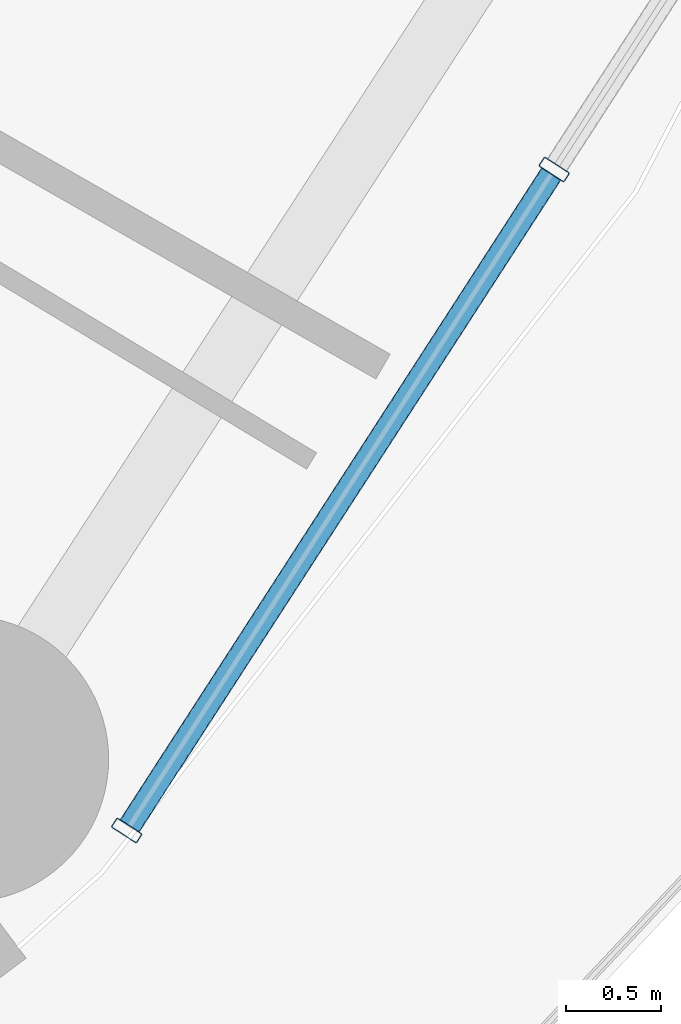
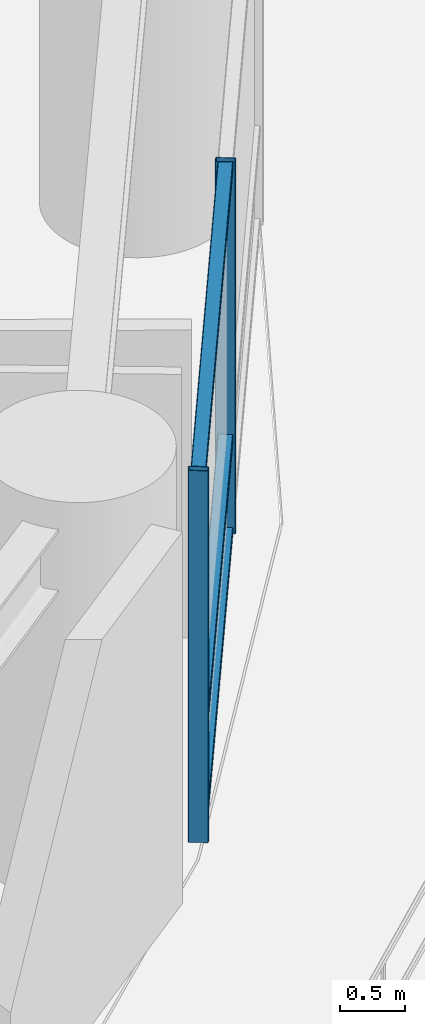
# One storey, part 10 of 34: 5 members, 1 element without a shape of its own.
"""IFC4 building model written with IfcOpenShell, lengths in metres."""

import ifcopenshell
import ifcopenshell.guid

model = None  # the IFC model being written
_history = None  # IfcOwnerHistory: only IFC2X3 demands one
_inside = {}  # id of a spatial element -> (the spatial element, [elements in it])
_under = {}  # id of a project, library or spatial element -> (it, [spatial elements below it])
_declared = {}  # id of a project -> (the project, [libraries it declares])
_typed = {}  # id of a type object -> (the type object, [elements of that type])
_made_of = {}  # id of a material, layer set ... -> (it, [elements and type objects made of it])


def new_model(schema):
    """Start an empty IFC model of exactly this schema.

    Asked for "IFC4X3", IfcOpenShell would pick the latest addendum, in which some entities
    have other attributes; the version numbers below select the first issue.
    IFC2X3 requires an IfcOwnerHistory on every rooted entity: one is made here for all.
    """
    global model, _history
    if schema == "IFC4X3":
        model = ifcopenshell.file(schema_version=(4, 3, 0, 0))
    else:
        model = ifcopenshell.file(schema=schema)
    _inside.clear()
    _under.clear()
    _declared.clear()
    _typed.clear()
    _made_of.clear()
    _history = None
    if model.schema == "IFC2X3":
        org = make("IfcOrganization", Name="unknown")
        user = make(
            "IfcPersonAndOrganization",
            ThePerson=make("IfcPerson", FamilyName="unknown"),
            TheOrganization=org,
        )
        app = make(
            "IfcApplication",
            ApplicationDeveloper=org,
            Version="unknown",
            ApplicationFullName="unknown",
            ApplicationIdentifier="unknown",
        )
        _history = make(
            "IfcOwnerHistory",
            OwningUser=user,
            OwningApplication=app,
            ChangeAction="ADDED",
            CreationDate=0,
        )
    return model


def make(cls, **values):
    """One entity of the class cls with the attributes given. An attribute that is None is left unset."""
    return model.create_entity(
        cls, **{name: value for name, value in values.items() if value is not None}
    )


def rooted(cls, **values):
    """An entity with a GlobalId (a new one), such as an element, a storey or a relation."""
    return make(cls, GlobalId=ifcopenshell.guid.new(), OwnerHistory=_history, **values)


def si_unit(unit_type, name, prefix=None):
    """IfcSIUnit, for example si_unit("LENGTHUNIT", "METRE", prefix="MILLI")."""
    return make("IfcSIUnit", UnitType=unit_type, Prefix=prefix, Name=name)


def assignment(units):
    """IfcUnitAssignment: the units of a project."""
    return None if units is None else make("IfcUnitAssignment", Units=units)


def point(xyz):
    """IfcCartesianPoint."""
    return None if xyz is None else make("IfcCartesianPoint", Coordinates=xyz)


def direction(xyz):
    """IfcDirection."""
    return None if xyz is None else make("IfcDirection", DirectionRatios=xyz)


def frame(location, z_axis=None, x_axis=None):
    """IfcAxis2Placement3D, a coordinate frame: its origin and axes. An axis left out is left unset."""
    return make(
        "IfcAxis2Placement3D",
        Location=point(location),
        Axis=direction(z_axis),
        RefDirection=direction(x_axis),
    )


def frame_2d(location, x_axis=None):
    """IfcAxis2Placement2D, a coordinate frame in the plane: its origin and x axis."""
    return make(
        "IfcAxis2Placement2D", Location=point(location), RefDirection=direction(x_axis)
    )


def origin():
    """The frame at (0, 0, 0) with its axes left unset."""
    return frame((0.0, 0.0, 0.0))


def origin_2d():
    """The frame at (0, 0) in the plane with its x axis left unset."""
    return frame_2d((0.0, 0.0))


def place(relative_to, where):
    """IfcLocalPlacement: puts the frame where relative to a parent placement (None: the world)."""
    return make(
        "IfcLocalPlacement", PlacementRelTo=relative_to, RelativePlacement=where
    )


def context(
    kind, dimensions, precision=None, world=None, true_north=None, identifier=None
):
    """IfcGeometricRepresentationContext, for example the 3D "Model" context."""
    return make(
        "IfcGeometricRepresentationContext",
        ContextIdentifier=identifier,
        ContextType=kind,
        CoordinateSpaceDimension=dimensions,
        Precision=precision,
        WorldCoordinateSystem=world,
        TrueNorth=true_north,
    )


def subcontext(parent, identifier, kind, view, scale=None):
    """IfcGeometricRepresentationSubContext, for example "Body" below "Model"."""
    return make(
        "IfcGeometricRepresentationSubContext",
        ContextIdentifier=identifier,
        ContextType=kind,
        ParentContext=parent,
        TargetScale=scale,
        TargetView=view,
    )


def project(units=None, contexts=None):
    """IfcProject with its units and contexts."""
    return rooted(
        "IfcProject",
        Name="project",
        RepresentationContexts=contexts,
        UnitsInContext=assignment(units),
    )


def spatial(cls, under=None, at=None, **own):
    """A site, building, storey or space (cls), placed at a placement, below another one or the project."""
    s = rooted(cls, ObjectPlacement=at, **own)
    if under is not None:
        _under.setdefault(under.id(), (under, []))[1].append(s)
    return s


def profile(cls, at=None, kind="AREA", **sizes):
    """A parametric profile (cls). Its sizes go by their IFC names, for example OverallWidth=200.0."""
    return make(cls, ProfileType=kind, Position=at, **sizes)


def hollow_rectangle(**sizes):
    """IfcRectangleHollowProfileDef."""
    return profile("IfcRectangleHollowProfileDef", **sizes)


def extrude(swept, where, along, depth):
    """IfcExtrudedAreaSolid: the profile swept, set in the frame where, extruded along a direction by depth."""
    return make(
        "IfcExtrudedAreaSolid",
        SweptArea=swept,
        Position=where,
        ExtrudedDirection=direction(along),
        Depth=depth,
    )


def shape(context_of_items, identifier, shape_type, items):
    """IfcShapeRepresentation: the items that make up one representation, for example the "Body"."""
    return make(
        "IfcShapeRepresentation",
        ContextOfItems=context_of_items,
        RepresentationIdentifier=identifier,
        RepresentationType=shape_type,
        Items=items,
    )


def material(Name=None, Category=None):
    """IfcMaterial."""
    return make("IfcMaterial", Name=Name, Category=Category)


def layer(
    of_material, thickness, ventilated=None, Name=None, Category=None, Priority=None
):
    """IfcMaterialLayer: one layer of a wall or slab, of a material (None: an air gap)."""
    return make(
        "IfcMaterialLayer",
        Material=of_material,
        LayerThickness=thickness,
        IsVentilated=ventilated,
        Name=Name,
        Category=Category,
        Priority=Priority,
    )


def layer_set(layers, Name=None):
    """IfcMaterialLayerSet."""
    return make("IfcMaterialLayerSet", MaterialLayers=layers, LayerSetName=Name)


def material_profile(
    of_material, cross_section, Name=None, Category=None, Priority=None
):
    """IfcMaterialProfile: a cross section and its material."""
    return make(
        "IfcMaterialProfile",
        Name=Name,
        Material=of_material,
        Profile=cross_section,
        Priority=Priority,
        Category=Category,
    )


def profile_set(profiles, Name=None, composite=None):
    """IfcMaterialProfileSet."""
    return make(
        "IfcMaterialProfileSet",
        Name=Name,
        MaterialProfiles=profiles,
        CompositeProfile=composite,
    )


def made_of(thing, what):
    """Note that an element or type object is made of a material, layer set ...; save() writes the relation."""
    if what is not None:
        _made_of.setdefault(what.id(), (what, []))[1].append(thing)
    return thing


def type_object(cls, material=None, **own):
    """A type object (cls), such as IfcWallType, which elements share."""
    return made_of(rooted(cls, **own), material)


def element(
    cls,
    number,
    at=None,
    inside=None,
    cuts=None,
    type_object=None,
    material=None,
    context=None,
    identifier="Body",
    shape_type=None,
    held_by="IfcProductDefinitionShape",
    body=None,
    shapes=None,
    **own,
):
    """One element of the class cls, such as IfcWall. Its Tag is "e" and its number.

    at: its placement. inside: the storey or other place that contains it. cuts: it is an
    opening in that element (IfcRelVoidsElement). A single representation is given by context,
    identifier, shape_type and body (its items); several are given by shapes. held_by: the class
    of the entity that holds the representations. save() writes the other relations.
    """
    e = rooted(cls, Tag="e%d" % number, ObjectPlacement=at, **own)
    if body is not None:
        shapes = [shape(context, identifier, shape_type, body)]
    if shapes is not None:
        e.Representation = make(held_by, Representations=shapes)
    if inside is not None:
        _inside.setdefault(inside.id(), (inside, []))[1].append(e)
    if cuts is not None:
        rooted(
            "IfcRelVoidsElement", RelatingBuildingElement=cuts, RelatedOpeningElement=e
        )
    if type_object is not None:
        _typed.setdefault(type_object.id(), (type_object, []))[1].append(e)
    return made_of(e, material)


def aggregate(whole, parts):
    """IfcRelAggregates: a whole, such as a stair, and the parts it consists of."""
    return rooted("IfcRelAggregates", RelatingObject=whole, RelatedObjects=parts)


def save(model, path):
    """Write the relations noted so far, then the file.

    IfcRelAggregates (storeys below a building ...), IfcRelContainedInSpatialStructure (elements
    in a storey), IfcRelDefinesByType, IfcRelAssociatesMaterial and IfcRelDeclares: one each for
    every whole, place, type object, material and project.
    """
    for whole, parts in _under.values():
        aggregate(whole, parts)
    for where, things in _inside.values():
        rooted(
            "IfcRelContainedInSpatialStructure",
            RelatedElements=things,
            RelatingStructure=where,
        )
    for kind, things in _typed.values():
        rooted("IfcRelDefinesByType", RelatedObjects=things, RelatingType=kind)
    for what, things in _made_of.values():
        rooted("IfcRelAssociatesMaterial", RelatedObjects=things, RelatingMaterial=what)
    for by, libraries in _declared.values():
        rooted("IfcRelDeclares", RelatingContext=by, RelatedDefinitions=libraries)
    model.write(path)


model = new_model("IFC4")

# Units and contexts
model_context = context("Model", 3, precision=1e-05, world=origin(), true_north=direction((0.0, 1.0)))
body_context = subcontext(model_context, "Body", "Model", "MODEL_VIEW")
ifc_project = project(units=[si_unit("LENGTHUNIT", "METRE"), si_unit("AREAUNIT", "SQUARE_METRE"), si_unit("VOLUMEUNIT", "CUBIC_METRE"), si_unit("PLANEANGLEUNIT", "RADIAN"), si_unit("MASSUNIT", "GRAM", prefix="KILO")], contexts=[model_context])

# Site, building, storey
site_placement = place(None, origin())
site = spatial("IfcSite", under=ifc_project, at=site_placement, CompositionType="ELEMENT")
building_placement = place(site_placement, origin())
building = spatial("IfcBuilding", under=site, at=building_placement, Name="Kelanora Arch Commons", CompositionType="ELEMENT")
storey_placement = place(building_placement, frame((0.0, 0.0, 33.75)))
storey = spatial("IfcBuildingStorey", under=building, at=storey_placement, Name="L08", CompositionType="ELEMENT", Elevation=33.75)

# Curtain wall, members
ifc_material_1 = material(Name="Terracotta ceramic-fritted low-E glass and aluminium", Category="masonry")
ifc_layer = layer(ifc_material_1, 0.159912109375)
ifc_layer_set = layer_set([ifc_layer], Name="Terracotta ceramic-fritted low-E glass and aluminium")
curtain_wall_type = type_object("IfcCurtainWallType", Name="CW-SYS-01", PredefinedType="NOTDEFINED", material=ifc_layer_set)
curtain_wall_placement = place(storey_placement, origin())
curtain_wall = element("IfcCurtainWall", 1, at=curtain_wall_placement, inside=storey, type_object=curtain_wall_type, Name="Unitised Curtain Wall L08-B16", PredefinedType="NOTDEFINED")
ifc_material_2 = material(Name="Powder-coated aluminium terracotta", Category="masonry")
ifc_material_profile_1 = material_profile(ifc_material_2, hollow_rectangle(XDim=0.159912109375, YDim=0.06005859375, WallThickness=0.0048828125, InnerFilletRadius=0.0048828125, OuterFilletRadius=0.010009765625, at=origin_2d()), Name="CWM160x60")
ifc_profile_set_1 = profile_set([ifc_material_profile_1], Name="Powder-coated aluminium terracotta")
member_type_1 = type_object("IfcMemberType", Name="CWM-STD", PredefinedType="MULLION", material=ifc_profile_set_1)
member_1_placement = place(storey_placement, frame((95.58935546875, 42.14697265625, 0.0), z_axis=(0.0, 0.0, 1.0), x_axis=(-0.83972982332, 0.543004441812, 0.0)))
member_1 = element("IfcMember", 2, at=member_1_placement, type_object=member_type_1, Name="CW-01 mullion 1", PredefinedType="MULLION", context=body_context, shape_type="SweptSolid", body=[
    extrude(hollow_rectangle(XDim=0.159912109375, YDim=0.06005859375, WallThickness=0.0048828125, InnerFilletRadius=0.0048828125, OuterFilletRadius=0.010009765625, at=origin_2d()), origin(), (0.0, 0.0, 1.0), 3.47509765625),
])
member_2_placement = place(storey_placement, frame((97.830810546875, 45.61328125, 0.0), z_axis=(0.0, 0.0, 1.0), x_axis=(-0.83972982332, 0.543004441812, 0.0)))
member_2 = element("IfcMember", 3, at=member_2_placement, type_object=member_type_1, Name="CW-01 mullion 2", PredefinedType="MULLION", context=body_context, shape_type="SweptSolid", body=[
    extrude(hollow_rectangle(XDim=0.159912109375, YDim=0.06005859375, WallThickness=0.0048828125, InnerFilletRadius=0.0048828125, OuterFilletRadius=0.010009765625, at=origin_2d()), origin(), (0.0, 0.0, 1.0), 3.47509765625),
])
ifc_material_profile_2 = material_profile(ifc_material_2, hollow_rectangle(XDim=0.1201171875, YDim=0.06005859375, WallThickness=0.0048828125, InnerFilletRadius=0.0048828125, OuterFilletRadius=0.010009765625, at=origin_2d()), Name="CWT120x60")
ifc_profile_set_2 = profile_set([ifc_material_profile_2], Name="Powder-coated aluminium terracotta")
member_type_2 = type_object("IfcMemberType", Name="CWT-STD", PredefinedType="USERDEFINED", material=ifc_profile_set_2)
member_3_placement = place(storey_placement, frame((95.605712890625, 42.17236328125, 0.030029296875), z_axis=(0.542997414293, 0.839734367566, 0.0), x_axis=(-0.839734367566, 0.542997414293, 0.0)))
member_3 = element("IfcMember", 4, at=member_3_placement, type_object=member_type_2, Name="CW-01 transom 1.1", ObjectType="TRANSOM", PredefinedType="USERDEFINED", context=body_context, shape_type="SweptSolid", body=[
    extrude(hollow_rectangle(XDim=0.1201171875, YDim=0.06005859375, WallThickness=0.0048828125, InnerFilletRadius=0.0048828125, OuterFilletRadius=0.010009765625, at=origin_2d()), origin(), (0.0, 0.0, 1.0), 4.067626953125),
])
member_4_placement = place(storey_placement, frame((95.605712890625, 42.17236328125, 0.89990234375), z_axis=(0.542997414293, 0.839734367566, 0.0), x_axis=(-0.839734367566, 0.542997414293, 0.0)))
member_4 = element("IfcMember", 5, at=member_4_placement, type_object=member_type_2, Name="CW-01 transom 1.2", ObjectType="TRANSOM", PredefinedType="USERDEFINED", context=body_context, shape_type="SweptSolid", body=[
    extrude(hollow_rectangle(XDim=0.1201171875, YDim=0.06005859375, WallThickness=0.0048828125, InnerFilletRadius=0.0048828125, OuterFilletRadius=0.010009765625, at=origin_2d()), origin(), (0.0, 0.0, 1.0), 4.067626953125),
])
member_5_placement = place(storey_placement, frame((95.605712890625, 42.17236328125, 3.445068359375), z_axis=(0.542997414293, 0.839734367566, 0.0), x_axis=(-0.839734367566, 0.542997414293, 0.0)))
member_5 = element("IfcMember", 6, at=member_5_placement, type_object=member_type_2, Name="CW-01 transom 1.3", ObjectType="TRANSOM", PredefinedType="USERDEFINED", context=body_context, shape_type="SweptSolid", body=[
    extrude(hollow_rectangle(XDim=0.1201171875, YDim=0.06005859375, WallThickness=0.0048828125, InnerFilletRadius=0.0048828125, OuterFilletRadius=0.010009765625, at=origin_2d()), origin(), (0.0, 0.0, 1.0), 4.067626953125),
])
aggregate(curtain_wall, [member_1, member_2, member_3, member_4, member_5])

save(model, "model.ifc")
